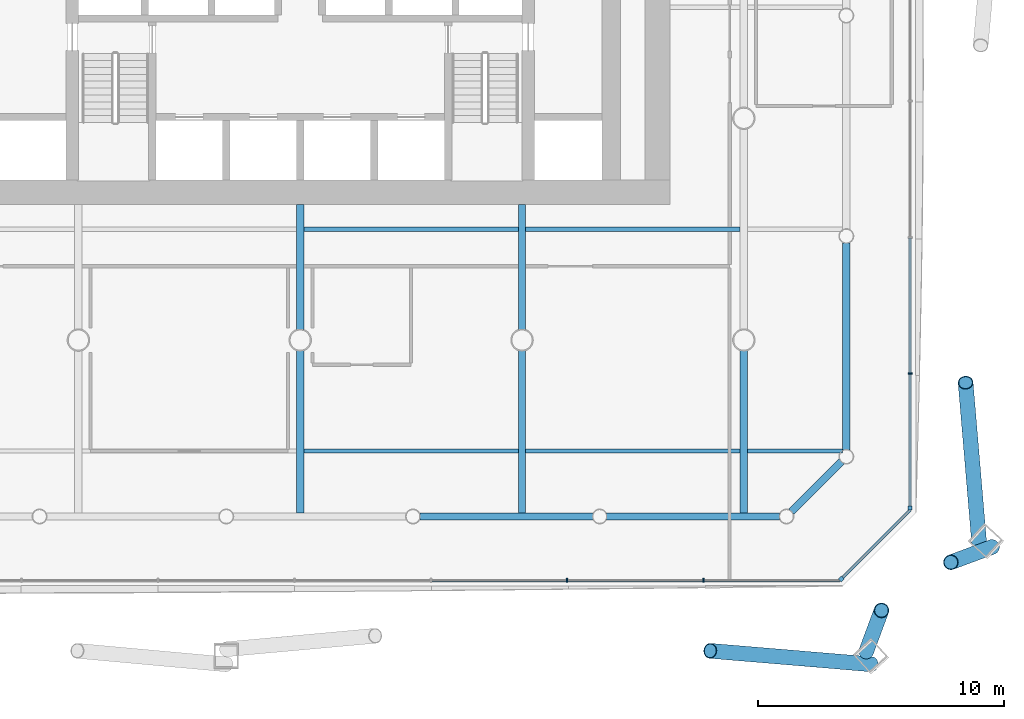
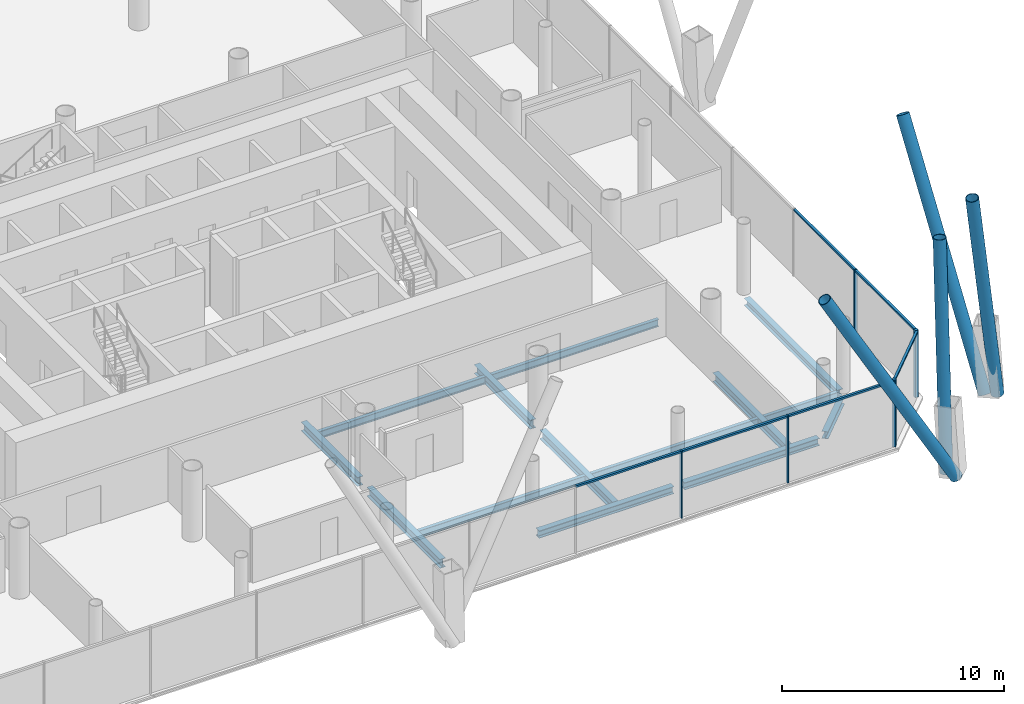
# One storey, part 7 of 25: 15 members, 14 beams, 3 elements without a shape of their own.
"""IFC4 building model written with IfcOpenShell, lengths in metres."""

from ifc_helpers import new_model, si_unit, direction, frame, origin, origin_2d, place, context, subcontext, project, spatial, rectangle, hollow_circle, i_section, extrude, material, material_profile, profile_set, type_object, element, aggregate, save


model = new_model("IFC4")

# Units and contexts
model_context = context("Model", 3, precision=1e-05, world=origin(), true_north=direction((0.0, 1.0)))
body_context = subcontext(model_context, "Body", "Model", "MODEL_VIEW")
ifc_project = project(units=[si_unit("LENGTHUNIT", "METRE"), si_unit("AREAUNIT", "SQUARE_METRE"), si_unit("VOLUMEUNIT", "CUBIC_METRE"), si_unit("PLANEANGLEUNIT", "RADIAN"), si_unit("MASSUNIT", "GRAM", prefix="KILO")], contexts=[model_context])

# Site, building, storey
site_placement = place(None, origin())
site = spatial("IfcSite", under=ifc_project, at=site_placement, CompositionType="ELEMENT")
building_placement = place(site_placement, origin())
building = spatial("IfcBuilding", under=site, at=building_placement, Name="Tskaro Facet Tower", CompositionType="ELEMENT")
storey_placement = place(building_placement, frame((0.0, 0.0, 10.800048828125)))
storey = spatial("IfcBuildingStorey", under=building, at=storey_placement, Name="L01", CompositionType="ELEMENT", Elevation=10.800048828125)

# Members
ifc_material_1 = material(Name="Steel S355J2H", Category="steel")
ifc_material_profile_1 = material_profile(ifc_material_1, hollow_circle(Radius=0.304931640625, WallThickness=0.030029296875, at=origin_2d()), Name="CHS 610x30")
ifc_profile_set_1 = profile_set([ifc_material_profile_1], Name="Steel S355J2H")
member_type_1 = type_object("IfcMemberType", Name="CHS 610x30 brace", PredefinedType="BRACE", material=ifc_profile_set_1)
member_1_placement = place(storey_placement, frame((23.180908203125, -31.155029296875, 0.0), z_axis=(-0.487809665063, 0.040831246537, 0.871994575658), x_axis=(-0.083411543722, -0.99651518522, 0.0)))
element("IfcMember", 1, at=member_1_placement, inside=storey, type_object=member_type_1, Name="CHS 610x30 XB02B/1", PredefinedType="BRACE", context=body_context, shape_type="SweptSolid", body=[
    extrude(hollow_circle(Radius=0.304931640625, WallThickness=0.030029296875, at=origin_2d()), origin(), (0.0, 0.0, 1.0), 13.41748046875),
])
for number, where, z_axis, x_axis, name in (
    (2, (22.96533203125, -30.63427734375, 0.0), (0.052337663775, 0.140901160262, 0.988639283049), (-0.937418872093, 0.348203759663, 0.0), "CHS 610x30 XB03A/1"),
    (3, (28.065673828125, -26.396728515625, 0.0), (-0.140901160262, -0.052337663775, 0.988639283049), (0.348203759663, -0.937418872093, 0.0), "CHS 610x30 XB03B/1"),
):
    element("IfcMember", number, at=place(storey_placement, frame(where, z_axis=z_axis, x_axis=x_axis)), inside=storey, type_object=member_type_1, Name=name, PredefinedType="BRACE", context=body_context, shape_type="SweptSolid", body=[
        extrude(hollow_circle(Radius=0.304931640625, WallThickness=0.030029296875, at=origin_2d()), origin(), (0.0, 0.0, 1.0), 11.83447265625),
    ])
member_2_placement = place(storey_placement, frame((27.544921875, -26.180908203125, 0.0), z_axis=(-0.040945764717, 0.482696348928, 0.874830085836), x_axis=(-0.996421476518, -0.084523612882, 0.0)))
element("IfcMember", 4, at=member_2_placement, inside=storey, type_object=member_type_1, Name="CHS 610x30 XB04A/1", PredefinedType="BRACE", context=body_context, shape_type="SweptSolid", body=[
    extrude(hollow_circle(Radius=0.304931640625, WallThickness=0.030029296875, at=origin_2d()), origin(), (0.0, 0.0, 1.0), 13.3740234375),
])

# Curtain wall, member
ifc_material_2 = material(Name="Bronze anodised aluminium 6063-T6", Category="aluminium")
curtain_wall_type = type_object("IfcCurtainWallType", Name="Bronze office curtain wall (FW1)", PredefinedType="NOTDEFINED", material=ifc_material_2)
curtain_wall_1_placement = place(storey_placement, origin())
curtain_wall_1 = element("IfcCurtainWall", 5, at=curtain_wall_1_placement, inside=storey, type_object=curtain_wall_type, Name="FW1 south-east facet L01", PredefinedType="NOTDEFINED")
ifc_material_profile_2 = material_profile(ifc_material_2, rectangle(XDim=0.159912109375, YDim=0.159912109375, at=origin_2d()), Name="Corner post 160x160")
ifc_profile_set_2 = profile_set([ifc_material_profile_2], Name="Bronze anodised aluminium 6063-T6")
member_type_2 = type_object("IfcMemberType", Name="FW1 bronze corner post 160x160", PredefinedType="MULLION", material=ifc_profile_set_2)
member_3_placement = place(storey_placement, frame((21.95263671875, -27.693359375, 0.0), z_axis=(0.0, 0.0, 1.0), x_axis=(0.707106781187, 0.707106781187, 0.0)))
member_3 = element("IfcMember", 6, at=member_3_placement, type_object=member_type_2, Name="FW1 south-east corner post", PredefinedType="MULLION", context=body_context, shape_type="SweptSolid", body=[
    extrude(rectangle(XDim=0.159912109375, YDim=0.159912109375, at=origin_2d()), origin(), (0.0, 0.0, 1.0), 3.699951171875),
])

curtain_wall_2_placement = place(storey_placement, origin())
curtain_wall_2 = element("IfcCurtainWall", 7, at=curtain_wall_2_placement, inside=storey, type_object=curtain_wall_type, Name="FW1 east facet L01", PredefinedType="NOTDEFINED")
member_4_placement = place(storey_placement, frame((24.75, -24.81591796875, 0.0), z_axis=(0.0, 0.0, 1.0), x_axis=(0.0, 1.0, 0.0)))
member_4 = element("IfcMember", 8, at=member_4_placement, type_object=member_type_2, Name="FW1 east corner post", PredefinedType="MULLION", context=body_context, shape_type="SweptSolid", body=[
    extrude(rectangle(XDim=0.159912109375, YDim=0.159912109375, at=origin_2d()), origin(), (0.0, 0.0, 1.0), 3.699951171875),
])

# Curtain wall, members
curtain_wall_3_placement = place(storey_placement, origin())
curtain_wall_3 = element("IfcCurtainWall", 9, at=curtain_wall_3_placement, inside=storey, type_object=curtain_wall_type, Name="FW1 south facet L01", PredefinedType="NOTDEFINED")
ifc_material_profile_3 = material_profile(ifc_material_2, rectangle(XDim=0.06005859375, YDim=0.159912109375, at=origin_2d()), Name="Mullion 60x160")
ifc_profile_set_3 = profile_set([ifc_material_profile_3], Name="Bronze anodised aluminium 6063-T6")
member_type_3 = type_object("IfcMemberType", Name="FW1 bronze mullion 60x160", PredefinedType="MULLION", material=ifc_profile_set_3)
member_5_placement = place(storey_placement, frame((10.8310546875, -27.75, 0.0), z_axis=(0.0, 0.0, 1.0), x_axis=(1.0, 0.0, 0.0)))
member_5 = element("IfcMember", 10, at=member_5_placement, type_object=member_type_3, Name="FW1 south mullion 7", PredefinedType="MULLION", context=body_context, shape_type="SweptSolid", body=[
    extrude(rectangle(XDim=0.06005859375, YDim=0.159912109375, at=origin_2d()), origin(), (0.0, 0.0, 1.0), 3.699951171875),
])
member_6_placement = place(storey_placement, frame((16.363525390625, -27.75, 0.0), z_axis=(0.0, 0.0, 1.0), x_axis=(1.0, 0.0, 0.0)))
member_6 = element("IfcMember", 11, at=member_6_placement, type_object=member_type_3, Name="FW1 south mullion 8", PredefinedType="MULLION", context=body_context, shape_type="SweptSolid", body=[
    extrude(rectangle(XDim=0.06005859375, YDim=0.159912109375, at=origin_2d()), origin(), (0.0, 0.0, 1.0), 3.699951171875),
])

# Member
member_7_placement = place(storey_placement, frame((24.75, -19.363525390625, 0.0), z_axis=(0.0, 0.0, 1.0), x_axis=(0.0, 1.0, 0.0)))
member_7 = element("IfcMember", 12, at=member_7_placement, type_object=member_type_3, Name="FW1 east mullion 1", PredefinedType="MULLION", context=body_context, shape_type="SweptSolid", body=[
    extrude(rectangle(XDim=0.06005859375, YDim=0.159912109375, at=origin_2d()), origin(), (0.0, 0.0, 1.0), 3.699951171875),
])

ifc_material_profile_4 = material_profile(ifc_material_2, rectangle(XDim=0.1201171875, YDim=0.10009765625, at=origin_2d()), Name="Transom 120x100")
ifc_profile_set_4 = profile_set([ifc_material_profile_4], Name="Bronze anodised aluminium 6063-T6")
member_type_4 = type_object("IfcMemberType", Name="FW1 bronze transom 120x100", PredefinedType="USERDEFINED", material=ifc_profile_set_4)
member_8_placement = place(storey_placement, frame((5.32861328125, -27.75, 3.64990234375), z_axis=(1.0, 0.0, 0.0), x_axis=(0.0, 1.0, 0.0)))
member_8 = element("IfcMember", 13, at=member_8_placement, type_object=member_type_4, Name="FW1 south transom 7.1", ObjectType="TRANSOM", PredefinedType="USERDEFINED", context=body_context, shape_type="SweptSolid", body=[
    extrude(rectangle(XDim=0.1201171875, YDim=0.10009765625, at=origin_2d()), origin(), (0.0, 0.0, 1.0), 5.472412109375),
])

member_9_placement = place(storey_placement, frame((10.861083984375, -27.75, 3.64990234375), z_axis=(1.0, 0.0, 0.0), x_axis=(0.0, 1.0, 0.0)))
member_9 = element("IfcMember", 14, at=member_9_placement, type_object=member_type_4, Name="FW1 south transom 8.1", ObjectType="TRANSOM", PredefinedType="USERDEFINED", context=body_context, shape_type="SweptSolid", body=[
    extrude(rectangle(XDim=0.1201171875, YDim=0.10009765625, at=origin_2d()), origin(), (0.0, 0.0, 1.0), 5.472412109375),
])

member_10_placement = place(storey_placement, frame((16.3935546875, -27.75, 3.64990234375), z_axis=(1.0, 0.0, 0.0), x_axis=(0.0, 1.0, 0.0)))
member_10 = element("IfcMember", 15, at=member_10_placement, type_object=member_type_4, Name="FW1 south transom 9.1", ObjectType="TRANSOM", PredefinedType="USERDEFINED", context=body_context, shape_type="SweptSolid", body=[
    extrude(rectangle(XDim=0.1201171875, YDim=0.10009765625, at=origin_2d()), origin(), (0.0, 0.0, 1.0), 5.50244140625),
])

aggregate(curtain_wall_3, [member_5, member_6, member_8, member_9, member_10])

member_11_placement = place(storey_placement, frame((22.009033203125, -27.636962890625, 3.64990234375), z_axis=(0.707106781187, 0.707106781187, 0.0), x_axis=(-0.707106781187, 0.707106781187, 0.0)))
member_11 = element("IfcMember", 16, at=member_11_placement, type_object=member_type_4, Name="FW1 south-east transom 1.1", ObjectType="TRANSOM", PredefinedType="USERDEFINED", context=body_context, shape_type="SweptSolid", body=[
    extrude(rectangle(XDim=0.1201171875, YDim=0.10009765625, at=origin_2d()), origin(), (0.0, 0.0, 1.0), 3.876220703125),
])

aggregate(curtain_wall_1, [member_3, member_11])

member_12_placement = place(storey_placement, frame((24.75, -24.736083984375, 3.64990234375), z_axis=(0.0, 1.0, 0.0), x_axis=(-1.0, 0.0, 0.0)))
member_12 = element("IfcMember", 17, at=member_12_placement, type_object=member_type_4, Name="FW1 east transom 1.1", ObjectType="TRANSOM", PredefinedType="USERDEFINED", context=body_context, shape_type="SweptSolid", body=[
    extrude(rectangle(XDim=0.1201171875, YDim=0.10009765625, at=origin_2d()), origin(), (0.0, 0.0, 1.0), 5.342529296875),
])

member_13_placement = place(storey_placement, frame((24.75, -19.33349609375, 3.64990234375), z_axis=(0.0, 1.0, 0.0), x_axis=(-1.0, 0.0, 0.0)))
member_13 = element("IfcMember", 18, at=member_13_placement, type_object=member_type_4, Name="FW1 east transom 2.1", ObjectType="TRANSOM", PredefinedType="USERDEFINED", context=body_context, shape_type="SweptSolid", body=[
    extrude(rectangle(XDim=0.1201171875, YDim=0.10009765625, at=origin_2d()), origin(), (0.0, 0.0, 1.0), 5.472412109375),
])

aggregate(curtain_wall_2, [member_4, member_7, member_12, member_13])

# Beams
ifc_material_3 = material(Name="Steel S355J2", Category="steel")
ifc_material_profile_5 = material_profile(ifc_material_3, i_section(OverallWidth=0.300048828125, OverallDepth=0.39990234375, WebThickness=0.013427734375, FlangeThickness=0.02392578125, FilletRadius=0.027099609375, at=origin_2d()), Name="HE 400 B")
ifc_profile_set_5 = profile_set([ifc_material_profile_5], Name="Steel S355J2")
beam_type_1 = type_object("IfcBeamType", Name="HE 400 B ring beam", PredefinedType="BEAM", material=ifc_profile_set_5)
beam_1_placement = place(storey_placement, frame((4.85107421875, -25.156982421875, -0.340087890625), z_axis=(1.0, 0.0, 0.0), x_axis=(0.0, 1.0, 0.0)))
element("IfcBeam", 19, at=beam_1_placement, inside=storey, type_object=beam_type_1, Name="HE 400 B EB5-1", PredefinedType="BEAM", context=body_context, shape_type="SweptSolid", body=[
    extrude(i_section(OverallWidth=0.300048828125, OverallDepth=0.39990234375, WebThickness=0.013427734375, FlangeThickness=0.02392578125, FilletRadius=0.027099609375, at=origin_2d()), origin(), (0.0, 0.0, 1.0), 7.02685546875),
])
beam_2_placement = place(storey_placement, frame((12.427978515625, -25.156982421875, -0.340087890625), z_axis=(1.0, 0.0, 0.0), x_axis=(0.0, 1.0, 0.0)))
element("IfcBeam", 20, at=beam_2_placement, inside=storey, type_object=beam_type_1, Name="HE 400 B EB6-1", PredefinedType="BEAM", context=body_context, shape_type="SweptSolid", body=[
    extrude(i_section(OverallWidth=0.300048828125, OverallDepth=0.39990234375, WebThickness=0.013427734375, FlangeThickness=0.02392578125, FilletRadius=0.027099609375, at=origin_2d()), origin(), (0.0, 0.0, 1.0), 7.026123046875),
])
beam_3_placement = place(storey_placement, frame((19.92333984375, -24.962646484375, -0.340087890625), z_axis=(0.707106781187, 0.707106781187, 0.0), x_axis=(-0.707106781187, 0.707106781187, 0.0)))
element("IfcBeam", 21, at=beam_3_placement, inside=storey, type_object=beam_type_1, Name="HE 400 B EB7-1", PredefinedType="BEAM", context=body_context, shape_type="SweptSolid", body=[
    extrude(i_section(OverallWidth=0.300048828125, OverallDepth=0.39990234375, WebThickness=0.013427734375, FlangeThickness=0.02392578125, FilletRadius=0.027099609375, at=origin_2d()), origin(), (0.0, 0.0, 1.0), 2.884033203125),
])
beam_4_placement = place(storey_placement, frame((22.156982421875, -22.4541015625, -0.340087890625), z_axis=(0.0, 1.0, 0.0), x_axis=(-1.0, 0.0, 0.0)))
element("IfcBeam", 22, at=beam_4_placement, inside=storey, type_object=beam_type_1, Name="HE 400 B EB8-1", PredefinedType="BEAM", context=body_context, shape_type="SweptSolid", body=[
    extrude(i_section(OverallWidth=0.300048828125, OverallDepth=0.39990234375, WebThickness=0.013427734375, FlangeThickness=0.02392578125, FilletRadius=0.027099609375, at=origin_2d()), origin(), (0.0, 0.0, 1.0), 8.398193359375),
])
ifc_material_profile_6 = material_profile(ifc_material_3, i_section(OverallWidth=0.300048828125, OverallDepth=0.489990234375, WebThickness=0.011962890625, FlangeThickness=0.02294921875, FilletRadius=0.027099609375, at=origin_2d()), Name="HE 500 A")
ifc_profile_set_6 = profile_set([ifc_material_profile_6], Name="Steel S355J2")
beam_type_2 = type_object("IfcBeamType", Name="HE 500 A girder", PredefinedType="BEAM", material=ifc_profile_set_6)
beam_5_placement = place(storey_placement, frame((0.0, -25.007080078125, -0.385009765625), z_axis=(0.0, 1.0, 0.0), x_axis=(-1.0, 0.0, 0.0)))
element("IfcBeam", 23, at=beam_5_placement, inside=storey, type_object=beam_type_2, Name="HE 500 A GB4-1-1", PredefinedType="BEAM", context=body_context, shape_type="SweptSolid", body=[
    extrude(i_section(OverallWidth=0.300048828125, OverallDepth=0.489990234375, WebThickness=0.011962890625, FlangeThickness=0.02294921875, FilletRadius=0.027099609375, at=origin_2d()), origin(), (0.0, 0.0, 1.0), 6.579833984375),
])
beam_6_placement = place(storey_placement, frame((0.0, -17.57275390625, -0.385009765625), z_axis=(0.0, 1.0, 0.0), x_axis=(-1.0, 0.0, 0.0)))
element("IfcBeam", 24, at=beam_6_placement, inside=storey, type_object=beam_type_2, Name="HE 500 A GB4-2-1", PredefinedType="BEAM", context=body_context, shape_type="SweptSolid", body=[
    extrude(i_section(OverallWidth=0.300048828125, OverallDepth=0.489990234375, WebThickness=0.011962890625, FlangeThickness=0.02294921875, FilletRadius=0.027099609375, at=origin_2d()), origin(), (0.0, 0.0, 1.0), 5.07275390625),
])
beam_7_placement = place(storey_placement, frame((9.0, -25.007080078125, -0.385009765625), z_axis=(0.0, 1.0, 0.0), x_axis=(-1.0, 0.0, 0.0)))
element("IfcBeam", 25, at=beam_7_placement, inside=storey, type_object=beam_type_2, Name="HE 500 A GB5-1-1", PredefinedType="BEAM", context=body_context, shape_type="SweptSolid", body=[
    extrude(i_section(OverallWidth=0.300048828125, OverallDepth=0.489990234375, WebThickness=0.011962890625, FlangeThickness=0.02294921875, FilletRadius=0.027099609375, at=origin_2d()), origin(), (0.0, 0.0, 1.0), 6.579833984375),
])
beam_8_placement = place(storey_placement, frame((9.0, -17.57275390625, -0.385009765625), z_axis=(0.0, 1.0, 0.0), x_axis=(-1.0, 0.0, 0.0)))
element("IfcBeam", 26, at=beam_8_placement, inside=storey, type_object=beam_type_2, Name="HE 500 A GB5-2-1", PredefinedType="BEAM", context=body_context, shape_type="SweptSolid", body=[
    extrude(i_section(OverallWidth=0.300048828125, OverallDepth=0.489990234375, WebThickness=0.011962890625, FlangeThickness=0.02294921875, FilletRadius=0.027099609375, at=origin_2d()), origin(), (0.0, 0.0, 1.0), 5.07275390625),
])
beam_9_placement = place(storey_placement, frame((18.0, -25.007080078125, -0.385009765625), z_axis=(0.0, 1.0, 0.0), x_axis=(-1.0, 0.0, 0.0)))
element("IfcBeam", 27, at=beam_9_placement, inside=storey, type_object=beam_type_2, Name="HE 500 A GB6-1-1", PredefinedType="BEAM", context=body_context, shape_type="SweptSolid", body=[
    extrude(i_section(OverallWidth=0.300048828125, OverallDepth=0.489990234375, WebThickness=0.011962890625, FlangeThickness=0.02294921875, FilletRadius=0.027099609375, at=origin_2d()), origin(), (0.0, 0.0, 1.0), 6.579833984375),
])
ifc_material_profile_7 = material_profile(ifc_material_3, i_section(OverallWidth=0.179931640625, OverallDepth=0.39990234375, WebThickness=0.008544921875, FlangeThickness=0.013427734375, FilletRadius=0.02099609375, at=origin_2d()), Name="IPE 400")
ifc_profile_set_7 = profile_set([ifc_material_profile_7], Name="Steel S355J2")
beam_type_3 = type_object("IfcBeamType", Name="IPE 400 secondary beam", PredefinedType="BEAM", material=ifc_profile_set_7)
for number, where, z_axis, x_axis, name in (
    (28, (0.14990234375, -22.5, -0.340087890625), (1.0, 0.0, 0.0), (0.0, 1.0, 0.0), "IPE 400 SB1a-4-1"),
    (29, (9.14990234375, -22.5, -0.340087890625), (1.0, 0.0, 0.0), (0.0, 1.0, 0.0), "IPE 400 SB1a-5-1"),
):
    element("IfcBeam", number, at=place(storey_placement, frame(where, z_axis=z_axis, x_axis=x_axis)), inside=storey, type_object=beam_type_3, Name=name, PredefinedType="BEAM", context=body_context, shape_type="SweptSolid", body=[
        extrude(i_section(OverallWidth=0.179931640625, OverallDepth=0.39990234375, WebThickness=0.008544921875, FlangeThickness=0.013427734375, FilletRadius=0.02099609375, at=origin_2d()), origin(), (0.0, 0.0, 1.0), 8.7001953125),
    ])
beam_10_placement = place(storey_placement, frame((18.14990234375, -22.5, -0.340087890625), z_axis=(1.0, 0.0, 0.0), x_axis=(0.0, 1.0, 0.0)))
element("IfcBeam", 30, at=beam_10_placement, inside=storey, type_object=beam_type_3, Name="IPE 400 SB1a-6-1", PredefinedType="BEAM", context=body_context, shape_type="SweptSolid", body=[
    extrude(i_section(OverallWidth=0.179931640625, OverallDepth=0.39990234375, WebThickness=0.008544921875, FlangeThickness=0.013427734375, FilletRadius=0.02099609375, at=origin_2d()), origin(), (0.0, 0.0, 1.0), 3.857177734375),
])
for number, where, z_axis, x_axis, name in (
    (31, (0.14990234375, -13.5, -0.340087890625), (1.0, 0.0, 0.0), (0.0, 1.0, 0.0), "IPE 400 SB2a-4-1"),
    (32, (9.14990234375, -13.5, -0.340087890625), (1.0, 0.0, 0.0), (0.0, 1.0, 0.0), "IPE 400 SB2a-5-1"),
):
    element("IfcBeam", number, at=place(storey_placement, frame(where, z_axis=z_axis, x_axis=x_axis)), inside=storey, type_object=beam_type_3, Name=name, PredefinedType="BEAM", context=body_context, shape_type="SweptSolid", body=[
        extrude(i_section(OverallWidth=0.179931640625, OverallDepth=0.39990234375, WebThickness=0.008544921875, FlangeThickness=0.013427734375, FilletRadius=0.02099609375, at=origin_2d()), origin(), (0.0, 0.0, 1.0), 8.7001953125),
    ])

save(model, "model.ifc")
